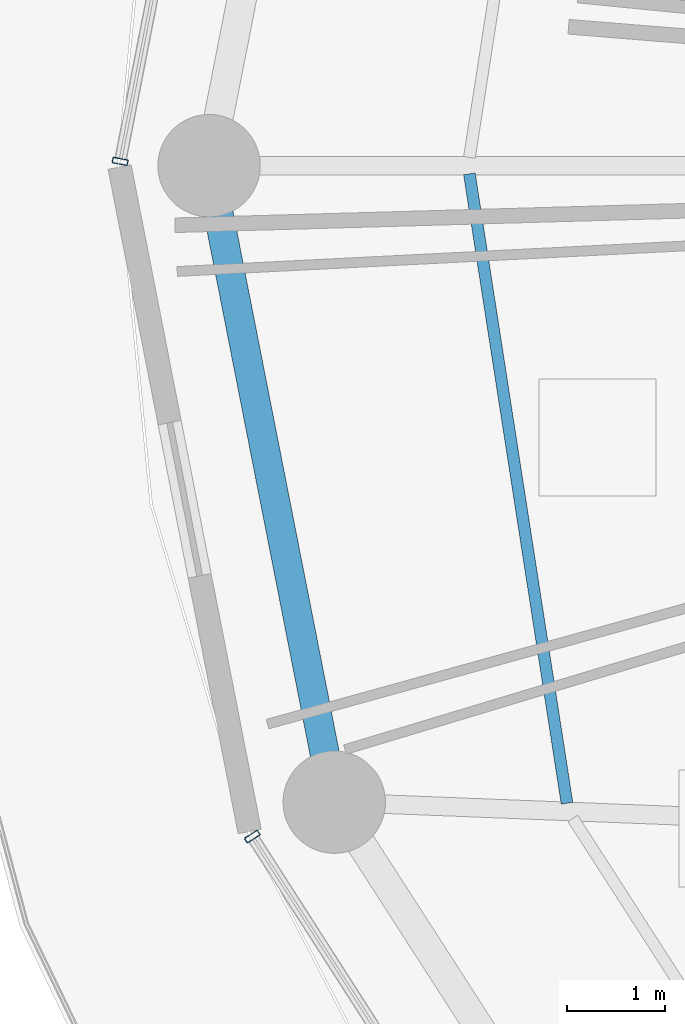
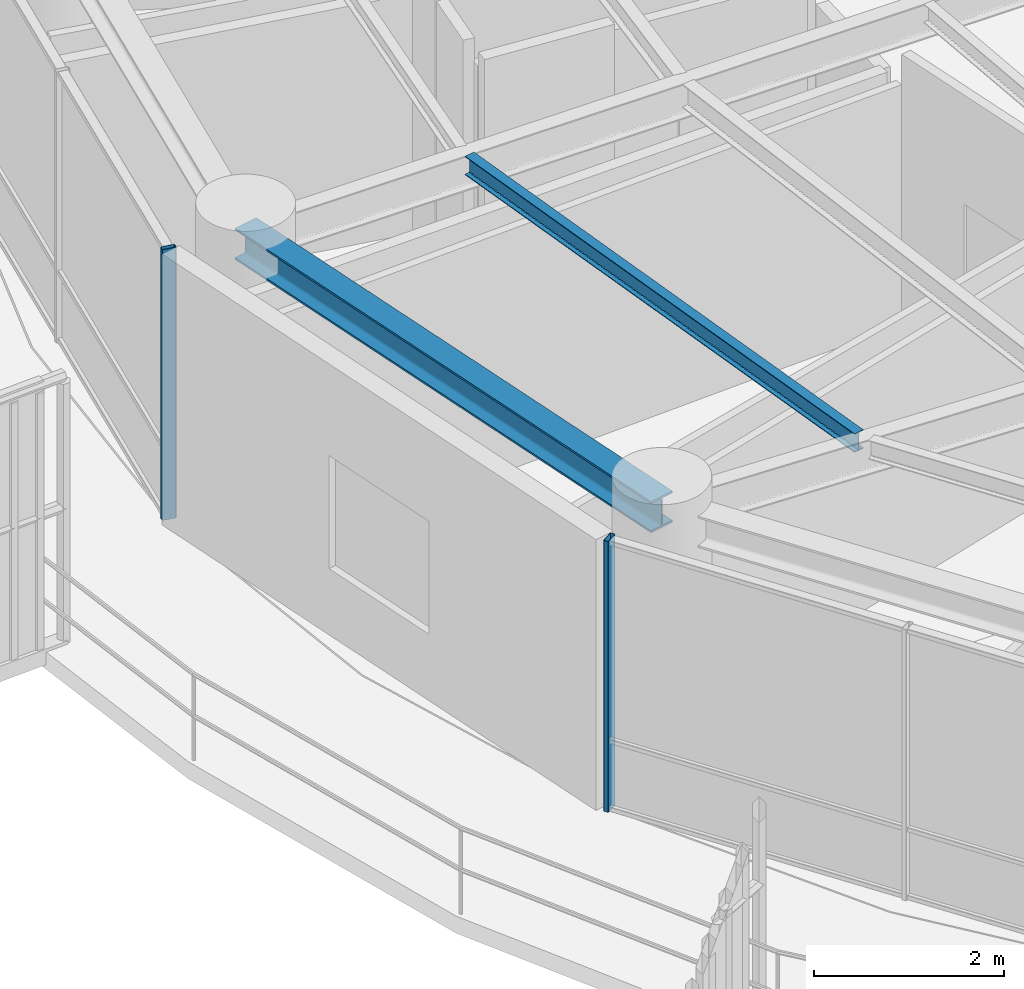
# One storey, part 6 of 31: 2 beams, 2 members, 2 elements without a shape of their own.
"""IFC4 building model written with IfcOpenShell, lengths in metres."""

import ifcopenshell
import ifcopenshell.guid

model = None  # the IFC model being written
_history = None  # IfcOwnerHistory: only IFC2X3 demands one
_inside = {}  # id of a spatial element -> (the spatial element, [elements in it])
_under = {}  # id of a project, library or spatial element -> (it, [spatial elements below it])
_declared = {}  # id of a project -> (the project, [libraries it declares])
_typed = {}  # id of a type object -> (the type object, [elements of that type])
_made_of = {}  # id of a material, layer set ... -> (it, [elements and type objects made of it])


def new_model(schema):
    """Start an empty IFC model of exactly this schema.

    Asked for "IFC4X3", IfcOpenShell would pick the latest addendum, in which some entities
    have other attributes; the version numbers below select the first issue.
    IFC2X3 requires an IfcOwnerHistory on every rooted entity: one is made here for all.
    """
    global model, _history
    if schema == "IFC4X3":
        model = ifcopenshell.file(schema_version=(4, 3, 0, 0))
    else:
        model = ifcopenshell.file(schema=schema)
    _inside.clear()
    _under.clear()
    _declared.clear()
    _typed.clear()
    _made_of.clear()
    _history = None
    if model.schema == "IFC2X3":
        org = make("IfcOrganization", Name="unknown")
        user = make(
            "IfcPersonAndOrganization",
            ThePerson=make("IfcPerson", FamilyName="unknown"),
            TheOrganization=org,
        )
        app = make(
            "IfcApplication",
            ApplicationDeveloper=org,
            Version="unknown",
            ApplicationFullName="unknown",
            ApplicationIdentifier="unknown",
        )
        _history = make(
            "IfcOwnerHistory",
            OwningUser=user,
            OwningApplication=app,
            ChangeAction="ADDED",
            CreationDate=0,
        )
    return model


def make(cls, **values):
    """One entity of the class cls with the attributes given. An attribute that is None is left unset."""
    return model.create_entity(
        cls, **{name: value for name, value in values.items() if value is not None}
    )


def rooted(cls, **values):
    """An entity with a GlobalId (a new one), such as an element, a storey or a relation."""
    return make(cls, GlobalId=ifcopenshell.guid.new(), OwnerHistory=_history, **values)


def si_unit(unit_type, name, prefix=None):
    """IfcSIUnit, for example si_unit("LENGTHUNIT", "METRE", prefix="MILLI")."""
    return make("IfcSIUnit", UnitType=unit_type, Prefix=prefix, Name=name)


def assignment(units):
    """IfcUnitAssignment: the units of a project."""
    return None if units is None else make("IfcUnitAssignment", Units=units)


def point(xyz):
    """IfcCartesianPoint."""
    return None if xyz is None else make("IfcCartesianPoint", Coordinates=xyz)


def direction(xyz):
    """IfcDirection."""
    return None if xyz is None else make("IfcDirection", DirectionRatios=xyz)


def frame(location, z_axis=None, x_axis=None):
    """IfcAxis2Placement3D, a coordinate frame: its origin and axes. An axis left out is left unset."""
    return make(
        "IfcAxis2Placement3D",
        Location=point(location),
        Axis=direction(z_axis),
        RefDirection=direction(x_axis),
    )


def frame_2d(location, x_axis=None):
    """IfcAxis2Placement2D, a coordinate frame in the plane: its origin and x axis."""
    return make(
        "IfcAxis2Placement2D", Location=point(location), RefDirection=direction(x_axis)
    )


def origin():
    """The frame at (0, 0, 0) with its axes left unset."""
    return frame((0.0, 0.0, 0.0))


def origin_2d():
    """The frame at (0, 0) in the plane with its x axis left unset."""
    return frame_2d((0.0, 0.0))


def place(relative_to, where):
    """IfcLocalPlacement: puts the frame where relative to a parent placement (None: the world)."""
    return make(
        "IfcLocalPlacement", PlacementRelTo=relative_to, RelativePlacement=where
    )


def context(
    kind, dimensions, precision=None, world=None, true_north=None, identifier=None
):
    """IfcGeometricRepresentationContext, for example the 3D "Model" context."""
    return make(
        "IfcGeometricRepresentationContext",
        ContextIdentifier=identifier,
        ContextType=kind,
        CoordinateSpaceDimension=dimensions,
        Precision=precision,
        WorldCoordinateSystem=world,
        TrueNorth=true_north,
    )


def subcontext(parent, identifier, kind, view, scale=None):
    """IfcGeometricRepresentationSubContext, for example "Body" below "Model"."""
    return make(
        "IfcGeometricRepresentationSubContext",
        ContextIdentifier=identifier,
        ContextType=kind,
        ParentContext=parent,
        TargetScale=scale,
        TargetView=view,
    )


def project(units=None, contexts=None):
    """IfcProject with its units and contexts."""
    return rooted(
        "IfcProject",
        Name="project",
        RepresentationContexts=contexts,
        UnitsInContext=assignment(units),
    )


def spatial(cls, under=None, at=None, **own):
    """A site, building, storey or space (cls), placed at a placement, below another one or the project."""
    s = rooted(cls, ObjectPlacement=at, **own)
    if under is not None:
        _under.setdefault(under.id(), (under, []))[1].append(s)
    return s


def profile(cls, at=None, kind="AREA", **sizes):
    """A parametric profile (cls). Its sizes go by their IFC names, for example OverallWidth=200.0."""
    return make(cls, ProfileType=kind, Position=at, **sizes)


def hollow_rectangle(**sizes):
    """IfcRectangleHollowProfileDef."""
    return profile("IfcRectangleHollowProfileDef", **sizes)


def i_section(**sizes):
    """IfcIShapeProfileDef."""
    return profile("IfcIShapeProfileDef", **sizes)


def extrude(swept, where, along, depth):
    """IfcExtrudedAreaSolid: the profile swept, set in the frame where, extruded along a direction by depth."""
    return make(
        "IfcExtrudedAreaSolid",
        SweptArea=swept,
        Position=where,
        ExtrudedDirection=direction(along),
        Depth=depth,
    )


def shape(context_of_items, identifier, shape_type, items):
    """IfcShapeRepresentation: the items that make up one representation, for example the "Body"."""
    return make(
        "IfcShapeRepresentation",
        ContextOfItems=context_of_items,
        RepresentationIdentifier=identifier,
        RepresentationType=shape_type,
        Items=items,
    )


def material(Name=None, Category=None):
    """IfcMaterial."""
    return make("IfcMaterial", Name=Name, Category=Category)


def layer(
    of_material, thickness, ventilated=None, Name=None, Category=None, Priority=None
):
    """IfcMaterialLayer: one layer of a wall or slab, of a material (None: an air gap)."""
    return make(
        "IfcMaterialLayer",
        Material=of_material,
        LayerThickness=thickness,
        IsVentilated=ventilated,
        Name=Name,
        Category=Category,
        Priority=Priority,
    )


def layer_set(layers, Name=None):
    """IfcMaterialLayerSet."""
    return make("IfcMaterialLayerSet", MaterialLayers=layers, LayerSetName=Name)


def material_profile(
    of_material, cross_section, Name=None, Category=None, Priority=None
):
    """IfcMaterialProfile: a cross section and its material."""
    return make(
        "IfcMaterialProfile",
        Name=Name,
        Material=of_material,
        Profile=cross_section,
        Priority=Priority,
        Category=Category,
    )


def profile_set(profiles, Name=None, composite=None):
    """IfcMaterialProfileSet."""
    return make(
        "IfcMaterialProfileSet",
        Name=Name,
        MaterialProfiles=profiles,
        CompositeProfile=composite,
    )


def made_of(thing, what):
    """Note that an element or type object is made of a material, layer set ...; save() writes the relation."""
    if what is not None:
        _made_of.setdefault(what.id(), (what, []))[1].append(thing)
    return thing


def type_object(cls, material=None, **own):
    """A type object (cls), such as IfcWallType, which elements share."""
    return made_of(rooted(cls, **own), material)


def element(
    cls,
    number,
    at=None,
    inside=None,
    cuts=None,
    type_object=None,
    material=None,
    context=None,
    identifier="Body",
    shape_type=None,
    held_by="IfcProductDefinitionShape",
    body=None,
    shapes=None,
    **own,
):
    """One element of the class cls, such as IfcWall. Its Tag is "e" and its number.

    at: its placement. inside: the storey or other place that contains it. cuts: it is an
    opening in that element (IfcRelVoidsElement). A single representation is given by context,
    identifier, shape_type and body (its items); several are given by shapes. held_by: the class
    of the entity that holds the representations. save() writes the other relations.
    """
    e = rooted(cls, Tag="e%d" % number, ObjectPlacement=at, **own)
    if body is not None:
        shapes = [shape(context, identifier, shape_type, body)]
    if shapes is not None:
        e.Representation = make(held_by, Representations=shapes)
    if inside is not None:
        _inside.setdefault(inside.id(), (inside, []))[1].append(e)
    if cuts is not None:
        rooted(
            "IfcRelVoidsElement", RelatingBuildingElement=cuts, RelatedOpeningElement=e
        )
    if type_object is not None:
        _typed.setdefault(type_object.id(), (type_object, []))[1].append(e)
    return made_of(e, material)


def aggregate(whole, parts):
    """IfcRelAggregates: a whole, such as a stair, and the parts it consists of."""
    return rooted("IfcRelAggregates", RelatingObject=whole, RelatedObjects=parts)


def save(model, path):
    """Write the relations noted so far, then the file.

    IfcRelAggregates (storeys below a building ...), IfcRelContainedInSpatialStructure (elements
    in a storey), IfcRelDefinesByType, IfcRelAssociatesMaterial and IfcRelDeclares: one each for
    every whole, place, type object, material and project.
    """
    for whole, parts in _under.values():
        aggregate(whole, parts)
    for where, things in _inside.values():
        rooted(
            "IfcRelContainedInSpatialStructure",
            RelatedElements=things,
            RelatingStructure=where,
        )
    for kind, things in _typed.values():
        rooted("IfcRelDefinesByType", RelatedObjects=things, RelatingType=kind)
    for what, things in _made_of.values():
        rooted("IfcRelAssociatesMaterial", RelatedObjects=things, RelatingMaterial=what)
    for by, libraries in _declared.values():
        rooted("IfcRelDeclares", RelatingContext=by, RelatedDefinitions=libraries)
    model.write(path)


model = new_model("IFC4")

# Units and contexts
model_context = context("Model", 3, precision=1e-05, world=origin(), true_north=direction((0.0, 1.0)))
body_context = subcontext(model_context, "Body", "Model", "MODEL_VIEW")
ifc_project = project(units=[si_unit("LENGTHUNIT", "METRE"), si_unit("AREAUNIT", "SQUARE_METRE"), si_unit("VOLUMEUNIT", "CUBIC_METRE"), si_unit("PLANEANGLEUNIT", "RADIAN"), si_unit("MASSUNIT", "GRAM", prefix="KILO")], contexts=[model_context])

# Site, building, storey
site_placement = place(None, origin())
site = spatial("IfcSite", under=ifc_project, at=site_placement, CompositionType="ELEMENT")
building_placement = place(site_placement, origin())
building = spatial("IfcBuilding", under=site, at=building_placement, Name="Kelanora Arch Commons", CompositionType="ELEMENT")
storey_placement = place(building_placement, frame((0.0, 0.0, 196.949951171875)))
storey = spatial("IfcBuildingStorey", under=building, at=storey_placement, Name="L50", CompositionType="ELEMENT", Elevation=196.949951171875)

# Beams
ifc_material_1 = material(Name="Steel S355", Category="steel")
ifc_material_profile_1 = material_profile(ifc_material_1, i_section(OverallWidth=0.1201171875, OverallDepth=0.239990234375, WebThickness=0.006103515625, FlangeThickness=0.009765625, FilletRadius=0.014892578125, at=origin_2d()), Name="IPE240")
ifc_profile_set_1 = profile_set([ifc_material_profile_1], Name="Steel S355")
beam_type_1 = type_object("IfcBeamType", Name="BM-JST-02", PredefinedType="JOIST", material=ifc_profile_set_1)
beam_1_placement = place(storey_placement, frame((55.388916015625, 57.916015625, 3.3701171875), z_axis=(0.153256756152, -0.988186402808, 0.0), x_axis=(0.988186402808, 0.153256756152, 0.0)))
element("IfcBeam", 1, at=beam_1_placement, inside=storey, type_object=beam_type_1, Name="Secondary Chord Joist BJC-18 L50", PredefinedType="JOIST", context=body_context, shape_type="SweptSolid", body=[
    extrude(i_section(OverallWidth=0.1201171875, OverallDepth=0.239990234375, WebThickness=0.006103515625, FlangeThickness=0.009765625, FilletRadius=0.014892578125, at=origin_2d()), origin(), (0.0, 0.0, 1.0), 6.52978515625),
])
ifc_material_profile_2 = material_profile(ifc_material_1, i_section(OverallWidth=0.300048828125, OverallDepth=0.39990234375, WebThickness=0.013427734375, FlangeThickness=0.02392578125, FilletRadius=0.027099609375, at=origin_2d()), Name="HEB400")
ifc_profile_set_2 = profile_set([ifc_material_profile_2], Name="Steel S355")
beam_type_2 = type_object("IfcBeamType", Name="BM-SPN-Z4", PredefinedType="SPANDREL", material=ifc_profile_set_2)
beam_2_placement = place(storey_placement, frame((52.719970703125, 58.0, 3.2900390625), z_axis=(0.192980724826, -0.981202547819, 0.0), x_axis=(0.981202547819, 0.192980724826, 0.0)))
element("IfcBeam", 2, at=beam_2_placement, inside=storey, type_object=beam_type_2, Name="Perimeter Spandrel Beam BS-18 L50", PredefinedType="SPANDREL", context=body_context, shape_type="SweptSolid", body=[
    extrude(i_section(OverallWidth=0.300048828125, OverallDepth=0.39990234375, WebThickness=0.013427734375, FlangeThickness=0.02392578125, FilletRadius=0.027099609375, at=origin_2d()), origin(), (0.0, 0.0, 1.0), 6.650634765625),
])

# Curtain wall, member
ifc_material_2 = material(Name="Terracotta ceramic-fritted low-E glass and aluminium", Category="masonry")
ifc_layer = layer(ifc_material_2, 0.175048828125)
ifc_layer_set = layer_set([ifc_layer], Name="Terracotta ceramic-fritted low-E glass and aluminium")
curtain_wall_type = type_object("IfcCurtainWallType", Name="CW-SYS-02", PredefinedType="NOTDEFINED", material=ifc_layer_set)
curtain_wall_1_placement = place(storey_placement, origin())
curtain_wall_1 = element("IfcCurtainWall", 3, at=curtain_wall_1_placement, inside=storey, type_object=curtain_wall_type, Name="Unitised Curtain Wall L50-B08", PredefinedType="NOTDEFINED")
ifc_material_3 = material(Name="Powder-coated aluminium terracotta", Category="masonry")
ifc_material_profile_3 = material_profile(ifc_material_3, hollow_rectangle(XDim=0.159912109375, YDim=0.06005859375, WallThickness=0.0048828125, InnerFilletRadius=0.0048828125, OuterFilletRadius=0.010009765625, at=origin_2d()), Name="CWM160x60")
ifc_profile_set_3 = profile_set([ifc_material_profile_3], Name="Powder-coated aluminium terracotta")
member_type = type_object("IfcMemberType", Name="CWM-STD", PredefinedType="MULLION", material=ifc_profile_set_3)
member_1_placement = place(storey_placement, frame((51.80859375, 58.044189453125, 0.0), z_axis=(0.0, 0.0, 1.0), x_axis=(0.981381438349, -0.192068926335, 0.0)))
member_1 = element("IfcMember", 4, at=member_1_placement, type_object=member_type, Name="CW-02 mullion 3", PredefinedType="MULLION", context=body_context, shape_type="SweptSolid", body=[
    extrude(hollow_rectangle(XDim=0.159912109375, YDim=0.06005859375, WallThickness=0.0048828125, InnerFilletRadius=0.0048828125, OuterFilletRadius=0.010009765625, at=origin_2d()), origin(), (0.0, 0.0, 1.0), 3.47509765625),
])
aggregate(curtain_wall_1, [member_1])

curtain_wall_2_placement = place(storey_placement, origin())
curtain_wall_2 = element("IfcCurtainWall", 5, at=curtain_wall_2_placement, inside=storey, type_object=curtain_wall_type, Name="Unitised Curtain Wall L50-B10", PredefinedType="NOTDEFINED")
member_2_placement = place(storey_placement, frame((53.1630859375, 51.121826171875, 0.0), z_axis=(0.0, 0.0, 1.0), x_axis=(0.84194757539, 0.539559338994, 0.0)))
member_2 = element("IfcMember", 6, at=member_2_placement, type_object=member_type, Name="CW-02 mullion 1", PredefinedType="MULLION", context=body_context, shape_type="SweptSolid", body=[
    extrude(hollow_rectangle(XDim=0.159912109375, YDim=0.06005859375, WallThickness=0.0048828125, InnerFilletRadius=0.0048828125, OuterFilletRadius=0.010009765625, at=origin_2d()), origin(), (0.0, 0.0, 1.0), 3.47509765625),
])
aggregate(curtain_wall_2, [member_2])

save(model, "model.ifc")
